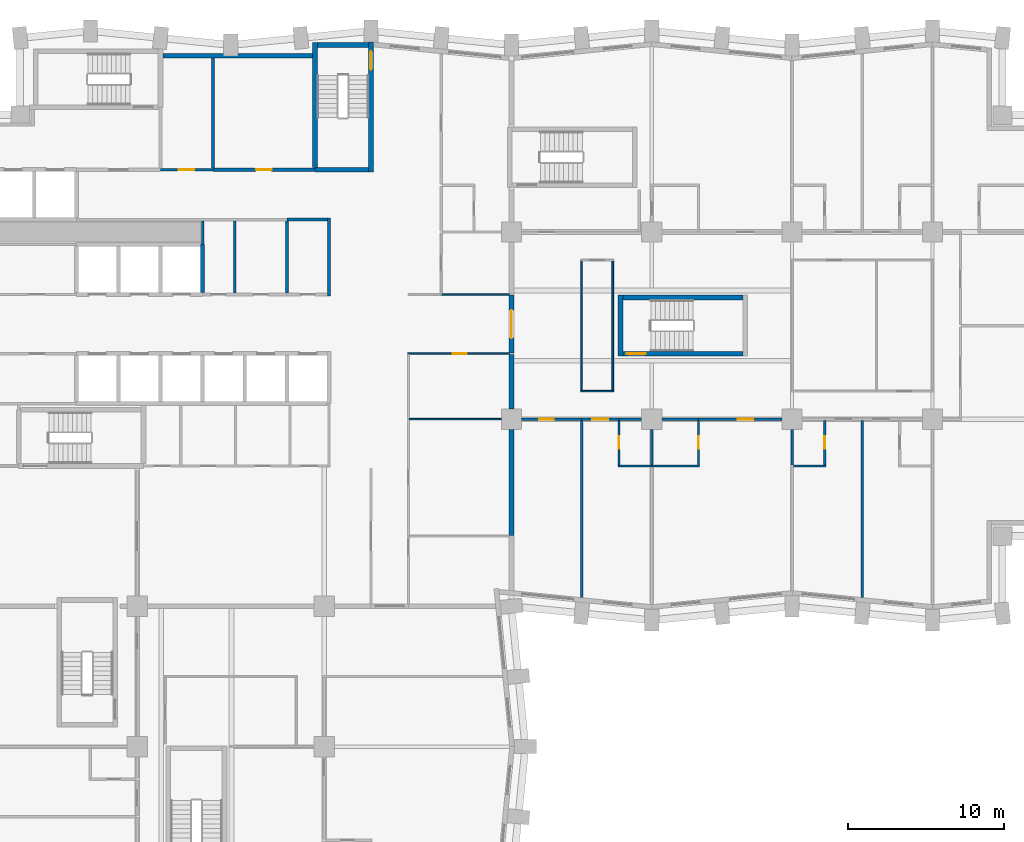
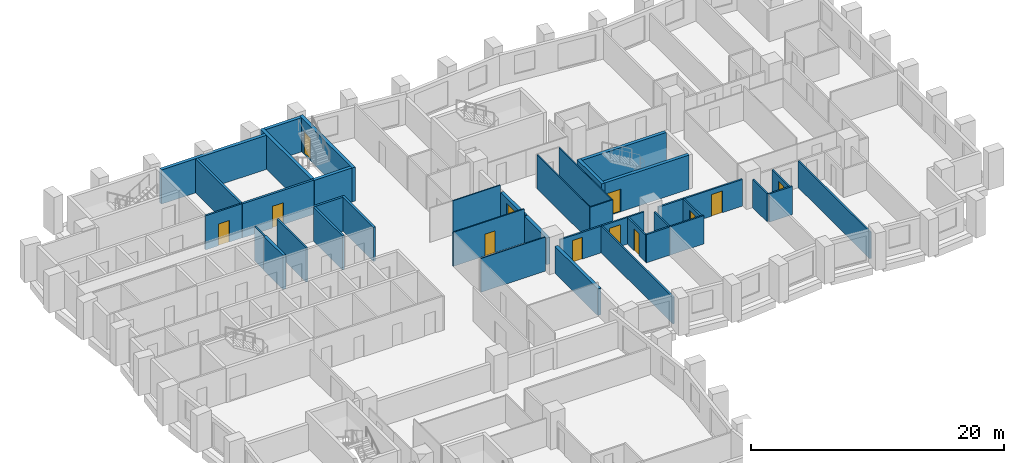
# One storey, part 7 of 13: 41 walls, 12 doors, 12 openings.
"""IFC4 building model written with IfcOpenShell, lengths in metres."""

from ifc_helpers import new_model, si_unit, direction, frame, frame_2d, origin, place, context, subcontext, project, spatial, rectangle, extrude, material, layer, layer_set, type_object, element, fill, save


model = new_model("IFC4")

# Units and contexts
model_context = context("Model", 3, precision=1e-05, world=origin(), true_north=direction((0.0, 1.0)))
body_context = subcontext(model_context, "Body", "Model", "MODEL_VIEW")
ifc_project = project(units=[si_unit("LENGTHUNIT", "METRE"), si_unit("AREAUNIT", "SQUARE_METRE"), si_unit("VOLUMEUNIT", "CUBIC_METRE"), si_unit("PLANEANGLEUNIT", "RADIAN"), si_unit("MASSUNIT", "GRAM", prefix="KILO")], contexts=[model_context])

# Site, building, storey
site_placement = place(None, origin())
site = spatial("IfcSite", under=ifc_project, at=site_placement, CompositionType="ELEMENT")
building_placement = place(site_placement, origin())
building = spatial("IfcBuilding", under=site, at=building_placement, Name="Brondeck Convention Tower", CompositionType="ELEMENT")
storey_placement = place(building_placement, frame((0.0, 0.0, 73.5)))
storey = spatial("IfcBuildingStorey", under=building, at=storey_placement, Name="L16", CompositionType="ELEMENT", Elevation=73.5)

# Walls
ifc_material_1 = material(Name="Concrete compartment wall C30/37", Category="concrete")
ifc_layer_1 = layer(ifc_material_1, 0.300048828125)
ifc_layer_set_1 = layer_set([ifc_layer_1], Name="Compartment wall 300")
wall_type_1 = type_object("IfcWallType", Name="Compartment wall 300", PredefinedType="PARTITIONING", material=ifc_layer_set_1)
wall_1_placement = place(storey_placement, frame((36.0, 38.344970703125, 0.0), z_axis=(0.0, 0.0, 1.0), x_axis=(0.0, -1.0, 0.0)))
element("IfcWall", 1, at=wall_1_placement, inside=storey, type_object=wall_type_1, Name="FLR-L16-W053", PredefinedType="PARTITIONING", context=body_context, shape_type="SweptSolid", body=[
    extrude(rectangle(XDim=6.794921875, YDim=0.300048828125, at=frame_2d((3.3974609375, 0.0))), origin(), (0.0, 0.0, 1.0), 2.580078125),
])
wall_2_placement = place(storey_placement, frame((36.0, 43.14990234375, 0.0), z_axis=(0.0, 0.0, 1.0), x_axis=(0.0, -1.0, 0.0)))
element("IfcWall", 2, at=wall_2_placement, inside=storey, type_object=wall_type_1, Name="FLR-L16-W078", PredefinedType="PARTITIONING", context=body_context, shape_type="SweptSolid", body=[
    extrude(rectangle(XDim=3.494873046875, YDim=0.300048828125, at=frame_2d((1.74755859375, 0.0))), origin(), (0.0, 0.0, 1.0), 2.580078125),
])

# Wall, opening, door
wall_3_placement = place(storey_placement, frame((36.0, 46.949951171875, 0.0), z_axis=(0.0, 0.0, 1.0), x_axis=(0.0, -1.0, 0.0)))
wall_3 = element("IfcWall", 3, at=wall_3_placement, inside=storey, type_object=wall_type_1, Name="FLR-L16-W082", PredefinedType="PARTITIONING", context=body_context, shape_type="SweptSolid", body=[
    extrude(rectangle(XDim=3.699951171875, YDim=0.300048828125, at=frame_2d((1.85009765625, 0.0))), origin(), (0.0, 0.0, 1.0), 2.580078125),
])
opening_1_placement = place(wall_3_placement, frame((0.949951171875, 0.0, 0.0)))
opening_1 = element("IfcOpeningElement", 4, at=opening_1_placement, cuts=wall_3, Name="Opening H4-041", PredefinedType="OPENING", context=body_context, shape_type="SweptSolid", body=[
    extrude(rectangle(XDim=1.800048828125, YDim=2.10009765625, at=frame_2d((0.89990234375, 1.050048828125))), frame((0.0, 0.159912109375, 0.0), z_axis=(0.0, -1.0, 0.0), x_axis=(1.0, 0.0, 0.0)), (0.0, 0.0, 1.0), 0.320068359375),
])
ifc_material_2 = material(Name="Steel fire door pair", Category="steel")
door_type_1 = type_object("IfcDoorType", Name="Fire door pair 1800", OperationType="DOUBLE_DOOR_SINGLE_SWING", PredefinedType="DOOR", material=ifc_material_2)
door_1_placement = place(opening_1_placement, origin())
door_1 = element("IfcDoor", 5, at=door_1_placement, inside=storey, type_object=door_type_1, Name="Door H4-041", OperationType="DOUBLE_DOOR_SINGLE_SWING", OverallHeight=2.10009765625, OverallWidth=1.800048828125, PredefinedType="DOOR", context=body_context, shape_type="SweptSolid", body=[
    extrude(rectangle(XDim=1.800048828125, YDim=2.10009765625, at=frame_2d((0.89990234375, 1.050048828125))), frame((0.0, 0.02490234375, 0.0), z_axis=(0.0, -1.0, 0.0), x_axis=(1.0, 0.0, 0.0)), (0.0, 0.0, 1.0), 0.050048828125),
])
fill(opening_1, door_1)

# Walls
ifc_material_3 = material(Name="Concrete C80/95", Category="concrete")
ifc_layer_2 = layer(ifc_material_3, 0.199951171875)
ifc_layer_set_2 = layer_set([ifc_layer_2], Name="Core beam-seat wall 200 Concrete C80/95")
wall_type_2 = type_object("IfcWallType", Name="Core beam-seat wall 200 Concrete C80/95", PredefinedType="SHEAR", material=ifc_layer_set_2)
wall_4_placement = place(storey_placement, frame((24.300048828125, 46.89990234375, 0.0), z_axis=(0.0, 0.0, 1.0), x_axis=(0.0, 1.0, 0.0)))
element("IfcWall", 6, at=wall_4_placement, inside=storey, type_object=wall_type_2, Name="L16 core wall", PredefinedType="SHEAR", context=body_context, shape_type="SweptSolid", body=[
    extrude(rectangle(XDim=5.0, YDim=0.199951171875, at=frame_2d((2.5, 0.0))), origin(), (0.0, 0.0, 1.0), 3.300048828125),
])
ifc_layer_3 = layer(ifc_material_3, 0.300048828125)
ifc_layer_set_3 = layer_set([ifc_layer_3], Name="Core outer wall 300 Concrete C80/95")
wall_type_3 = type_object("IfcWallType", Name="Core outer wall 300 Concrete C80/95", PredefinedType="SHEAR", material=ifc_layer_set_3)
wall_5_placement = place(storey_placement, frame((13.64990234375, 62.300048828125, 0.0), z_axis=(0.0, 0.0, 1.0), x_axis=(1.0, 0.0, 0.0)))
element("IfcWall", 7, at=wall_5_placement, inside=storey, type_object=wall_type_3, Name="L16 core wall", PredefinedType="SHEAR", context=body_context, shape_type="SweptSolid", body=[
    extrude(rectangle(XDim=9.60009765625, YDim=0.300048828125, at=frame_2d((4.800048828125, 0.0))), origin(), (0.0, 0.0, 1.0), 3.300048828125),
])

# Wall, opening, door
ifc_material_4 = material(Name="Fire-rated gypsum board partition")
ifc_layer_4 = layer(ifc_material_4, 0.14990234375)
ifc_layer_set_4 = layer_set([ifc_layer_4], Name="Core partition 150 EI 60")
wall_type_4 = type_object("IfcWallType", Name="Core partition 150 EI 60", PredefinedType="PARTITIONING", material=ifc_layer_set_4)
wall_6_placement = place(storey_placement, frame((13.5, 55.0, 0.0), z_axis=(0.0, 0.0, 1.0), x_axis=(1.0, 0.0, 0.0)))
wall_6 = element("IfcWall", 8, at=wall_6_placement, inside=storey, type_object=wall_type_4, Name="L16 core wall", PredefinedType="PARTITIONING", context=body_context, shape_type="SweptSolid", body=[
    extrude(rectangle(XDim=3.35009765625, YDim=0.14990234375, at=frame_2d((1.675048828125, 0.0))), origin(), (0.0, 0.0, 1.0), 3.300048828125),
])
opening_2_placement = place(wall_6_placement, frame((1.175048828125, 0.0, 0.0)))
opening_2 = element("IfcOpeningElement", 9, at=opening_2_placement, cuts=wall_6, Name="Opening C11-14", PredefinedType="OPENING", context=body_context, shape_type="SweptSolid", body=[
    extrude(rectangle(XDim=1.0, YDim=2.10009765625, at=frame_2d((0.5, 1.050048828125))), frame((0.0, 0.0849609375, 0.0), z_axis=(0.0, -1.0, 0.0), x_axis=(1.0, 0.0, 0.0)), (0.0, 0.0, 1.0), 0.169921875),
])
ifc_material_5 = material(Name="Steel fire door", Category="steel")
door_type_2 = type_object("IfcDoorType", Name="Room door 1000x2100 EI 60", OperationType="NOTDEFINED", PredefinedType="DOOR", material=ifc_material_5)
door_2_placement = place(opening_2_placement, origin())
door_2 = element("IfcDoor", 10, at=door_2_placement, inside=storey, type_object=door_type_2, Name="L16 Room door NE-1", OperationType="SINGLE_SWING_LEFT", OverallHeight=2.10009765625, OverallWidth=1.0, PredefinedType="DOOR", context=body_context, shape_type="SweptSolid", body=[
    extrude(rectangle(XDim=1.0, YDim=2.10009765625, at=frame_2d((0.5, 1.050048828125))), frame((0.0, 0.02490234375, 0.0), z_axis=(0.0, -1.0, 0.0), x_axis=(1.0, 0.0, 0.0)), (0.0, 0.0, 1.0), 0.050048828125),
])
fill(opening_2, door_2)

# Walls
wall_7_placement = place(storey_placement, frame((16.199951171875, 50.199951171875, 0.0), z_axis=(0.0, 0.0, 1.0), x_axis=(0.0, 1.0, 0.0)))
element("IfcWall", 11, at=wall_7_placement, inside=storey, type_object=wall_type_4, Name="L16 core wall", PredefinedType="PARTITIONING", context=body_context, shape_type="SweptSolid", body=[
    extrude(rectangle(XDim=1.525146484375, YDim=0.14990234375, at=frame_2d((0.7626953125, 0.0))), origin(), (0.0, 0.0, 1.0), 3.300048828125),
])
wall_8_placement = place(storey_placement, frame((18.25, 47.10009765625, 0.0), z_axis=(0.0, 0.0, 1.0), x_axis=(0.0, 1.0, 0.0)))
element("IfcWall", 12, at=wall_8_placement, inside=storey, type_object=wall_type_4, Name="L16 core wall", PredefinedType="PARTITIONING", context=body_context, shape_type="SweptSolid", body=[
    extrude(rectangle(XDim=4.625, YDim=0.14990234375, at=frame_2d((2.3125, 0.0))), origin(), (0.0, 0.0, 1.0), 3.300048828125),
])
ifc_material_6 = material(Name="Double gypsum board acoustic wall")
ifc_layer_5 = layer(ifc_material_6, 0.14990234375)
ifc_layer_set_5 = layer_set([ifc_layer_5], Name="Guest room party wall 150")
wall_type_5 = type_object("IfcWallType", Name="Guest room party wall 150", PredefinedType="PARTITIONING", material=ifc_layer_set_5)
wall_9_placement = place(storey_placement, frame((42.824951171875, 36.0, 0.0), z_axis=(0.0, 0.0, 1.0), x_axis=(1.0, 0.0, 0.0)))
element("IfcWall", 13, at=wall_9_placement, inside=storey, type_object=wall_type_5, Name="FLR-L16-W047", PredefinedType="PARTITIONING", context=body_context, shape_type="SweptSolid", body=[
    extrude(rectangle(XDim=2.175048828125, YDim=0.14990234375, at=frame_2d((1.08740234375, 0.0))), origin(), (0.0, 0.0, 1.0), 2.72998046875),
])
wall_10_placement = place(storey_placement, frame((45.0, 36.0, 0.0), z_axis=(0.0, 0.0, 1.0), x_axis=(1.0, 0.0, 0.0)))
element("IfcWall", 14, at=wall_10_placement, inside=storey, type_object=wall_type_5, Name="FLR-L16-W048", PredefinedType="PARTITIONING", context=body_context, shape_type="SweptSolid", body=[
    extrude(rectangle(XDim=3.074951171875, YDim=0.14990234375, at=frame_2d((1.53759765625, 0.0))), origin(), (0.0, 0.0, 1.0), 2.72998046875),
])
wall_11_placement = place(storey_placement, frame((54.074951171875, 36.0, 0.0), z_axis=(0.0, 0.0, 1.0), x_axis=(1.0, 0.0, 0.0)))
element("IfcWall", 15, at=wall_11_placement, inside=storey, type_object=wall_type_5, Name="FLR-L16-W049", PredefinedType="PARTITIONING", context=body_context, shape_type="SweptSolid", body=[
    extrude(rectangle(XDim=2.10009765625, YDim=0.14990234375, at=frame_2d((1.050048828125, 0.0))), origin(), (0.0, 0.0, 1.0), 2.72998046875),
])

# Wall, opening, door
wall_12_placement = place(storey_placement, frame((48.0, 36.074951171875, 0.0), z_axis=(0.0, 0.0, 1.0), x_axis=(0.0, 1.0, 0.0)))
wall_12 = element("IfcWall", 16, at=wall_12_placement, inside=storey, type_object=wall_type_5, Name="FLR-L16-W051", PredefinedType="PARTITIONING", context=body_context, shape_type="SweptSolid", body=[
    extrude(rectangle(XDim=2.85009765625, YDim=0.14990234375, at=frame_2d((1.425048828125, 0.0))), origin(), (0.0, 0.0, 1.0), 2.580078125),
])
opening_3_placement = place(wall_12_placement, frame((1.02490234375, 0.0, 0.0)))
opening_3 = element("IfcOpeningElement", 17, at=opening_3_placement, cuts=wall_12, Name="Opening H4-012", PredefinedType="OPENING", context=body_context, shape_type="SweptSolid", body=[
    extrude(rectangle(XDim=0.800048828125, YDim=2.10009765625, at=frame_2d((0.39990234375, 1.050048828125))), frame((0.0, 0.0849609375, 0.0), z_axis=(0.0, -1.0, 0.0), x_axis=(1.0, 0.0, 0.0)), (0.0, 0.0, 1.0), 0.169921875),
])
ifc_material_7 = material(Name="Solid timber door leaf", Category="wood")
door_type_3 = type_object("IfcDoorType", Name="En-suite door 800", OperationType="NOTDEFINED", PredefinedType="DOOR", material=ifc_material_7)
door_3_placement = place(opening_3_placement, origin())
door_3 = element("IfcDoor", 18, at=door_3_placement, inside=storey, type_object=door_type_3, Name="Door H4-012", OperationType="SINGLE_SWING_RIGHT", OverallHeight=2.10009765625, OverallWidth=0.800048828125, PredefinedType="DOOR", context=body_context, shape_type="SweptSolid", body=[
    extrude(rectangle(XDim=0.800048828125, YDim=2.10009765625, at=frame_2d((0.39990234375, 1.050048828125))), frame((0.0, 0.02490234375, 0.0), z_axis=(0.0, -1.0, 0.0), x_axis=(1.0, 0.0, 0.0)), (0.0, 0.0, 1.0), 0.050048828125),
])
fill(opening_3, door_3)

wall_13_placement = place(storey_placement, frame((56.10009765625, 36.074951171875, 0.0), z_axis=(0.0, 0.0, 1.0), x_axis=(0.0, 1.0, 0.0)))
wall_13 = element("IfcWall", 19, at=wall_13_placement, inside=storey, type_object=wall_type_5, Name="FLR-L16-W052", PredefinedType="PARTITIONING", context=body_context, shape_type="SweptSolid", body=[
    extrude(rectangle(XDim=2.85009765625, YDim=0.14990234375, at=frame_2d((1.425048828125, 0.0))), origin(), (0.0, 0.0, 1.0), 2.580078125),
])
opening_4_placement = place(wall_13_placement, frame((1.02490234375, 0.0, 0.0)))
opening_4 = element("IfcOpeningElement", 20, at=opening_4_placement, cuts=wall_13, Name="Opening H4-014", PredefinedType="OPENING", context=body_context, shape_type="SweptSolid", body=[
    extrude(rectangle(XDim=0.800048828125, YDim=2.10009765625, at=frame_2d((0.39990234375, 1.050048828125))), frame((0.0, 0.0849609375, 0.0), z_axis=(0.0, -1.0, 0.0), x_axis=(1.0, 0.0, 0.0)), (0.0, 0.0, 1.0), 0.169921875),
])
door_4_placement = place(opening_4_placement, origin())
door_4 = element("IfcDoor", 21, at=door_4_placement, inside=storey, type_object=door_type_3, Name="Door H4-014", OperationType="SINGLE_SWING_LEFT", OverallHeight=2.10009765625, OverallWidth=0.800048828125, PredefinedType="DOOR", context=body_context, shape_type="SweptSolid", body=[
    extrude(rectangle(XDim=0.800048828125, YDim=2.10009765625, at=frame_2d((0.39990234375, 1.050048828125))), frame((0.0, 0.02490234375, 0.0), z_axis=(0.0, -1.0, 0.0), x_axis=(1.0, 0.0, 0.0)), (0.0, 0.0, 1.0), 0.050048828125),
])
fill(opening_4, door_4)

# Walls
for number, where, z_axis, x_axis, name in (
    (22, (45.0, 38.344970703125, 0.0), (0.0, 0.0, 1.0), (0.0, -1.0, 0.0), "FLR-L16-W054"),
    (23, (54.0, 38.344970703125, 0.0), (0.0, 0.0, 1.0), (0.0, -1.0, 0.0), "FLR-L16-W055"),
):
    element("IfcWall", number, at=place(storey_placement, frame(where, z_axis=z_axis, x_axis=x_axis)), inside=storey, type_object=wall_type_5, Name=name, PredefinedType="PARTITIONING", context=body_context, shape_type="SweptSolid", body=[
        extrude(rectangle(XDim=2.27001953125, YDim=0.14990234375, at=frame_2d((1.135009765625, 0.0))), origin(), (0.0, 0.0, 1.0), 2.72998046875),
    ])
wall_14_placement = place(storey_placement, frame((40.5, 38.925048828125, 0.0), z_axis=(0.0, 0.0, 1.0), x_axis=(0.0, -1.0, 0.0)))
element("IfcWall", 24, at=wall_14_placement, inside=storey, type_object=wall_type_5, Name="FLR-L16-W057", PredefinedType="PARTITIONING", context=body_context, shape_type="SweptSolid", body=[
    extrude(rectangle(XDim=11.35009765625, YDim=0.14990234375, at=frame_2d((5.675048828125, 0.0))), origin(), (0.0, 0.0, 1.0), 2.580078125),
])

# Wall, opening, door
wall_15_placement = place(storey_placement, frame((42.89990234375, 38.925048828125, 0.0), z_axis=(0.0, 0.0, 1.0), x_axis=(0.0, -1.0, 0.0)))
wall_15 = element("IfcWall", 25, at=wall_15_placement, inside=storey, type_object=wall_type_5, Name="FLR-L16-W058", PredefinedType="PARTITIONING", context=body_context, shape_type="SweptSolid", body=[
    extrude(rectangle(XDim=2.85009765625, YDim=0.14990234375, at=frame_2d((1.425048828125, 0.0))), origin(), (0.0, 0.0, 1.0), 2.580078125),
])
opening_5_placement = place(wall_15_placement, frame((1.02490234375, 0.0, 0.0)))
opening_5 = element("IfcOpeningElement", 26, at=opening_5_placement, cuts=wall_15, Name="Opening H4-010", PredefinedType="OPENING", context=body_context, shape_type="SweptSolid", body=[
    extrude(rectangle(XDim=0.800048828125, YDim=2.10009765625, at=frame_2d((0.39990234375, 1.050048828125))), frame((0.0, 0.0849609375, 0.0), z_axis=(0.0, -1.0, 0.0), x_axis=(1.0, 0.0, 0.0)), (0.0, 0.0, 1.0), 0.169921875),
])
door_5_placement = place(opening_5_placement, origin())
door_5 = element("IfcDoor", 27, at=door_5_placement, inside=storey, type_object=door_type_3, Name="Door H4-010", OperationType="SINGLE_SWING_LEFT", OverallHeight=2.10009765625, OverallWidth=0.800048828125, PredefinedType="DOOR", context=body_context, shape_type="SweptSolid", body=[
    extrude(rectangle(XDim=0.800048828125, YDim=2.10009765625, at=frame_2d((0.39990234375, 1.050048828125))), frame((0.0, 0.02490234375, 0.0), z_axis=(0.0, -1.0, 0.0), x_axis=(1.0, 0.0, 0.0)), (0.0, 0.0, 1.0), 0.050048828125),
])
fill(opening_5, door_5)

# Wall
wall_16_placement = place(storey_placement, frame((58.5, 38.925048828125, 0.0), z_axis=(0.0, 0.0, 1.0), x_axis=(0.0, -1.0, 0.0)))
element("IfcWall", 28, at=wall_16_placement, inside=storey, type_object=wall_type_5, Name="FLR-L16-W059", PredefinedType="PARTITIONING", context=body_context, shape_type="SweptSolid", body=[
    extrude(rectangle(XDim=11.35009765625, YDim=0.14990234375, at=frame_2d((5.675048828125, 0.0))), origin(), (0.0, 0.0, 1.0), 2.580078125),
])

# Wall, opening, door
wall_17_placement = place(storey_placement, frame((40.5, 39.0, 0.0), z_axis=(0.0, 0.0, 1.0), x_axis=(-1.0, 0.0, 0.0)))
wall_17 = element("IfcWall", 29, at=wall_17_placement, inside=storey, type_object=wall_type_5, Name="FLR-L16-W063", PredefinedType="PARTITIONING", context=body_context, shape_type="SweptSolid", body=[
    extrude(rectangle(XDim=3.844970703125, YDim=0.14990234375, at=frame_2d((1.92236328125, 0.0))), origin(), (0.0, 0.0, 1.0), 2.580078125),
])
opening_6_placement = place(wall_17_placement, frame((1.800048828125, 0.0, 0.0)))
opening_6 = element("IfcOpeningElement", 30, at=opening_6_placement, cuts=wall_17, Name="Opening H4-008", PredefinedType="OPENING", context=body_context, shape_type="SweptSolid", body=[
    extrude(rectangle(XDim=0.89990234375, YDim=2.10009765625, at=frame_2d((0.449951171875, 1.050048828125))), frame((0.0, 0.0849609375, 0.0), z_axis=(0.0, -1.0, 0.0), x_axis=(1.0, 0.0, 0.0)), (0.0, 0.0, 1.0), 0.169921875),
])
door_type_4 = type_object("IfcDoorType", Name="Single door 900", OperationType="NOTDEFINED", PredefinedType="DOOR", material=ifc_material_7)
door_6_placement = place(opening_6_placement, origin())
door_6 = element("IfcDoor", 31, at=door_6_placement, inside=storey, type_object=door_type_4, Name="Door H4-008", OperationType="SINGLE_SWING_LEFT", OverallHeight=2.10009765625, OverallWidth=0.89990234375, PredefinedType="DOOR", context=body_context, shape_type="SweptSolid", body=[
    extrude(rectangle(XDim=0.89990234375, YDim=2.10009765625, at=frame_2d((0.449951171875, 1.050048828125))), frame((0.0, 0.02490234375, 0.0), z_axis=(0.0, -1.0, 0.0), x_axis=(1.0, 0.0, 0.0)), (0.0, 0.0, 1.0), 0.050048828125),
])
fill(opening_6, door_6)

wall_18_placement = place(storey_placement, frame((42.89990234375, 39.0, 0.0), z_axis=(0.0, 0.0, 1.0), x_axis=(-1.0, 0.0, 0.0)))
wall_18 = element("IfcWall", 32, at=wall_18_placement, inside=storey, type_object=wall_type_5, Name="FLR-L16-W064", PredefinedType="PARTITIONING", context=body_context, shape_type="SweptSolid", body=[
    extrude(rectangle(XDim=2.39990234375, YDim=0.14990234375, at=frame_2d((1.199951171875, 0.0))), origin(), (0.0, 0.0, 1.0), 2.580078125),
])
opening_7_placement = place(wall_18_placement, frame((0.699951171875, 0.0, 0.0)))
opening_7 = element("IfcOpeningElement", 33, at=opening_7_placement, cuts=wall_18, Name="Opening H4-009", PredefinedType="OPENING", context=body_context, shape_type="SweptSolid", body=[
    extrude(rectangle(XDim=1.0, YDim=2.10009765625, at=frame_2d((0.5, 1.050048828125))), frame((0.0, 0.0849609375, 0.0), z_axis=(0.0, -1.0, 0.0), x_axis=(1.0, 0.0, 0.0)), (0.0, 0.0, 1.0), 0.169921875),
])
ifc_material_8 = material(Name="Solid timber fire door leaf", Category="wood")
door_type_5 = type_object("IfcDoorType", Name="Guest room door 1000", OperationType="NOTDEFINED", PredefinedType="DOOR", material=ifc_material_8)
door_7_placement = place(opening_7_placement, origin())
door_7 = element("IfcDoor", 34, at=door_7_placement, inside=storey, type_object=door_type_5, Name="Door H4-009", OperationType="SINGLE_SWING_LEFT", OverallHeight=2.10009765625, OverallWidth=1.0, PredefinedType="DOOR", context=body_context, shape_type="SweptSolid", body=[
    extrude(rectangle(XDim=1.0, YDim=2.10009765625, at=frame_2d((0.5, 1.050048828125))), frame((0.0, 0.02490234375, 0.0), z_axis=(0.0, -1.0, 0.0), x_axis=(1.0, 0.0, 0.0)), (0.0, 0.0, 1.0), 0.050048828125),
])
fill(opening_7, door_7)

# Walls
wall_19_placement = place(storey_placement, frame((44.344970703125, 39.0, 0.0), z_axis=(0.0, 0.0, 1.0), x_axis=(-1.0, 0.0, 0.0)))
element("IfcWall", 35, at=wall_19_placement, inside=storey, type_object=wall_type_5, Name="FLR-L16-W065", PredefinedType="PARTITIONING", context=body_context, shape_type="SweptSolid", body=[
    extrude(rectangle(XDim=1.445068359375, YDim=0.14990234375, at=frame_2d((0.72265625, 0.0))), origin(), (0.0, 0.0, 1.0), 2.580078125),
])
wall_20_placement = place(storey_placement, frame((48.0, 39.0, 0.0), z_axis=(0.0, 0.0, 1.0), x_axis=(-1.0, 0.0, 0.0)))
element("IfcWall", 36, at=wall_20_placement, inside=storey, type_object=wall_type_5, Name="FLR-L16-W066", PredefinedType="PARTITIONING", context=body_context, shape_type="SweptSolid", body=[
    extrude(rectangle(XDim=2.344970703125, YDim=0.14990234375, at=frame_2d((1.17236328125, 0.0))), origin(), (0.0, 0.0, 1.0), 2.580078125),
])

# Wall, opening, door
wall_21_placement = place(storey_placement, frame((53.344970703125, 39.0, 0.0), z_axis=(0.0, 0.0, 1.0), x_axis=(-1.0, 0.0, 0.0)))
wall_21 = element("IfcWall", 37, at=wall_21_placement, inside=storey, type_object=wall_type_5, Name="FLR-L16-W067", PredefinedType="PARTITIONING", context=body_context, shape_type="SweptSolid", body=[
    extrude(rectangle(XDim=5.344970703125, YDim=0.14990234375, at=frame_2d((2.67236328125, 0.0))), origin(), (0.0, 0.0, 1.0), 2.580078125),
])
opening_8_placement = place(wall_21_placement, frame((1.844970703125, 0.0, 0.0)))
opening_8 = element("IfcOpeningElement", 38, at=opening_8_placement, cuts=wall_21, Name="Opening H4-011", PredefinedType="OPENING", context=body_context, shape_type="SweptSolid", body=[
    extrude(rectangle(XDim=1.0, YDim=2.10009765625, at=frame_2d((0.5, 1.050048828125))), frame((0.0, 0.0849609375, 0.0), z_axis=(0.0, -1.0, 0.0), x_axis=(1.0, 0.0, 0.0)), (0.0, 0.0, 1.0), 0.169921875),
])
door_8_placement = place(opening_8_placement, origin())
door_8 = element("IfcDoor", 39, at=door_8_placement, inside=storey, type_object=door_type_5, Name="Door H4-011", OperationType="SINGLE_SWING_RIGHT", OverallHeight=2.10009765625, OverallWidth=1.0, PredefinedType="DOOR", context=body_context, shape_type="SweptSolid", body=[
    extrude(rectangle(XDim=1.0, YDim=2.10009765625, at=frame_2d((0.5, 1.050048828125))), frame((0.0, 0.02490234375, 0.0), z_axis=(0.0, -1.0, 0.0), x_axis=(1.0, 0.0, 0.0)), (0.0, 0.0, 1.0), 0.050048828125),
])
fill(opening_8, door_8)

# Walls
ifc_layer_6 = layer(ifc_material_3, 0.25)
ifc_layer_set_6 = layer_set([ifc_layer_6], Name="Lift shaft wall 250 Concrete C80/95")
wall_type_6 = type_object("IfcWallType", Name="Lift shaft wall 250 Concrete C80/95", PredefinedType="SHEAR", material=ifc_layer_set_6)
wall_22_placement = place(storey_placement, frame((16.199951171875, 47.125, 0.0), z_axis=(0.0, 0.0, 1.0), x_axis=(0.0, 1.0, 0.0)))
element("IfcWall", 40, at=wall_22_placement, inside=storey, type_object=wall_type_6, Name="L16 core wall", PredefinedType="SHEAR", context=body_context, shape_type="SweptSolid", body=[
    extrude(rectangle(XDim=3.074951171875, YDim=0.25, at=frame_2d((1.53759765625, 0.0))), origin(), (0.0, 0.0, 1.0), 3.300048828125),
])
ifc_layer_7 = layer(ifc_material_4, 0.199951171875)
ifc_layer_set_7 = layer_set([ifc_layer_7], Name="Riser wall 200 EI 120")
wall_type_7 = type_object("IfcWallType", Name="Riser wall 200 EI 120", PredefinedType="PARTITIONING", material=ifc_layer_set_7)
wall_23_placement = place(storey_placement, frame((21.60009765625, 51.800048828125, 0.0), z_axis=(0.0, 0.0, 1.0), x_axis=(1.0, 0.0, 0.0)))
element("IfcWall", 41, at=wall_23_placement, inside=storey, type_object=wall_type_7, Name="L16 core wall", PredefinedType="PARTITIONING", context=body_context, shape_type="SweptSolid", body=[
    extrude(rectangle(XDim=2.599853515625, YDim=0.199951171875, at=frame_2d((1.2998046875, 0.0))), origin(), (0.0, 0.0, 1.0), 3.300048828125),
])

# Wall, opening, door
wall_24_placement = place(storey_placement, frame((16.85009765625, 55.0, 0.0), z_axis=(0.0, 0.0, 1.0), x_axis=(1.0, 0.0, 0.0)))
wall_24 = element("IfcWall", 42, at=wall_24_placement, inside=storey, type_object=wall_type_7, Name="L16 core wall", PredefinedType="PARTITIONING", context=body_context, shape_type="SweptSolid", body=[
    extrude(rectangle(XDim=6.5498046875, YDim=0.199951171875, at=frame_2d((3.27490234375, 0.0))), origin(), (0.0, 0.0, 1.0), 3.300048828125),
])
opening_9_placement = place(wall_24_placement, frame((2.77490234375, 0.0, 0.0)))
opening_9 = element("IfcOpeningElement", 43, at=opening_9_placement, cuts=wall_24, Name="Opening C11-15", PredefinedType="OPENING", context=body_context, shape_type="SweptSolid", body=[
    extrude(rectangle(XDim=1.0, YDim=2.10009765625, at=frame_2d((0.5, 1.050048828125))), frame((0.0, 0.10986328125, 0.0), z_axis=(0.0, -1.0, 0.0), x_axis=(1.0, 0.0, 0.0)), (0.0, 0.0, 1.0), 0.219970703125),
])
door_type_6 = type_object("IfcDoorType", Name="Riser door 1000x2100 EI 120", OperationType="NOTDEFINED", PredefinedType="DOOR", material=ifc_material_5)
door_9_placement = place(opening_9_placement, origin())
door_9 = element("IfcDoor", 44, at=door_9_placement, inside=storey, type_object=door_type_6, Name="L16 Riser door NE-2", OperationType="SINGLE_SWING_RIGHT", OverallHeight=2.10009765625, OverallWidth=1.0, PredefinedType="DOOR", context=body_context, shape_type="SweptSolid", body=[
    extrude(rectangle(XDim=1.0, YDim=2.10009765625, at=frame_2d((0.5, 1.050048828125))), frame((0.0, 0.02490234375, 0.0), z_axis=(0.0, -1.0, 0.0), x_axis=(1.0, 0.0, 0.0)), (0.0, 0.0, 1.0), 0.050048828125),
])
fill(opening_9, door_9)

# Walls
wall_25_placement = place(storey_placement, frame((16.85009765625, 55.10009765625, 0.0), z_axis=(0.0, 0.0, 1.0), x_axis=(0.0, 1.0, 0.0)))
element("IfcWall", 45, at=wall_25_placement, inside=storey, type_object=wall_type_7, Name="L16 core wall", PredefinedType="PARTITIONING", context=body_context, shape_type="SweptSolid", body=[
    extrude(rectangle(XDim=7.0498046875, YDim=0.199951171875, at=frame_2d((3.52490234375, 0.0))), origin(), (0.0, 0.0, 1.0), 3.300048828125),
])
wall_26_placement = place(storey_placement, frame((21.60009765625, 47.10009765625, 0.0), z_axis=(0.0, 0.0, 1.0), x_axis=(0.0, 1.0, 0.0)))
element("IfcWall", 46, at=wall_26_placement, inside=storey, type_object=wall_type_7, Name="L16 core wall", PredefinedType="PARTITIONING", context=body_context, shape_type="SweptSolid", body=[
    extrude(rectangle(XDim=4.599853515625, YDim=0.199951171875, at=frame_2d((2.2998046875, 0.0))), origin(), (0.0, 0.0, 1.0), 3.300048828125),
])
ifc_material_9 = material(Name="Gypsum board partition on steel studs", Category="steel")
ifc_layer_8 = layer(ifc_material_9, 0.10009765625)
ifc_layer_set_8 = layer_set([ifc_layer_8], Name="Room partition 100")
wall_type_8 = type_object("IfcWallType", Name="Room partition 100", PredefinedType="PARTITIONING", material=ifc_layer_set_8)
wall_27_placement = place(storey_placement, frame((35.344970703125, 39.0, 0.0), z_axis=(0.0, 0.0, 1.0), x_axis=(-1.0, 0.0, 0.0)))
element("IfcWall", 47, at=wall_27_placement, inside=storey, type_object=wall_type_8, Name="FLR-L16-W062", PredefinedType="PARTITIONING", context=body_context, shape_type="SweptSolid", body=[
    extrude(rectangle(XDim=5.89501953125, YDim=0.10009765625, at=frame_2d((2.947509765625, 0.0))), origin(), (0.0, 0.0, 1.0), 3.280029296875),
])
wall_28_placement = place(storey_placement, frame((40.449951171875, 40.800048828125, 0.0), z_axis=(0.0, 0.0, 1.0), x_axis=(1.0, 0.0, 0.0)))
element("IfcWall", 48, at=wall_28_placement, inside=storey, type_object=wall_type_8, Name="FLR-L16-W073", PredefinedType="PARTITIONING", context=body_context, shape_type="SweptSolid", body=[
    extrude(rectangle(XDim=2.10009765625, YDim=0.10009765625, at=frame_2d((1.050048828125, 0.0))), origin(), (0.0, 0.0, 1.0), 3.280029296875),
])

# Wall, opening, door
wall_29_placement = place(storey_placement, frame((35.85009765625, 43.199951171875, 0.0), z_axis=(0.0, 0.0, 1.0), x_axis=(-1.0, 0.0, 0.0)))
wall_29 = element("IfcWall", 49, at=wall_29_placement, inside=storey, type_object=wall_type_8, Name="FLR-L16-W079", PredefinedType="PARTITIONING", context=body_context, shape_type="SweptSolid", body=[
    extrude(rectangle(XDim=6.5, YDim=0.10009765625, at=frame_2d((3.25, 0.0))), origin(), (0.0, 0.0, 1.0), 3.280029296875),
])
opening_10_placement = place(wall_29_placement, frame((2.699951171875, 0.0, 0.0)))
opening_10 = element("IfcOpeningElement", 50, at=opening_10_placement, cuts=wall_29, Name="Opening H4-036", PredefinedType="OPENING", context=body_context, shape_type="SweptSolid", body=[
    extrude(rectangle(XDim=0.89990234375, YDim=2.10009765625, at=frame_2d((0.449951171875, 1.050048828125))), frame((0.0, 0.06005859375, 0.0), z_axis=(0.0, -1.0, 0.0), x_axis=(1.0, 0.0, 0.0)), (0.0, 0.0, 1.0), 0.1201171875),
])
door_10_placement = place(opening_10_placement, origin())
door_10 = element("IfcDoor", 51, at=door_10_placement, inside=storey, type_object=door_type_4, Name="Door H4-036", OperationType="SINGLE_SWING_LEFT", OverallHeight=2.10009765625, OverallWidth=0.89990234375, PredefinedType="DOOR", context=body_context, shape_type="SweptSolid", body=[
    extrude(rectangle(XDim=0.89990234375, YDim=2.10009765625, at=frame_2d((0.449951171875, 1.050048828125))), frame((0.0, 0.02490234375, 0.0), z_axis=(0.0, -1.0, 0.0), x_axis=(1.0, 0.0, 0.0)), (0.0, 0.0, 1.0), 0.050048828125),
])
fill(opening_10, door_10)

# Walls
wall_30_placement = place(storey_placement, frame((31.5, 47.0, 0.0), z_axis=(0.0, 0.0, 1.0), x_axis=(1.0, 0.0, 0.0)))
element("IfcWall", 52, at=wall_30_placement, inside=storey, type_object=wall_type_8, Name="FLR-L16-W084", PredefinedType="PARTITIONING", context=body_context, shape_type="SweptSolid", body=[
    extrude(rectangle(XDim=4.35009765625, YDim=0.10009765625, at=frame_2d((2.175048828125, 0.0))), origin(), (0.0, 0.0, 1.0), 3.280029296875),
])
for number, where, z_axis, x_axis, name in (
    (53, (40.5, 49.14990234375, 0.0), (0.0, 0.0, 1.0), (0.0, -1.0, 0.0), "FLR-L16-W085"),
    (54, (42.5, 49.14990234375, 0.0), (0.0, 0.0, 1.0), (0.0, -1.0, 0.0), "FLR-L16-W086"),
):
    element("IfcWall", number, at=place(storey_placement, frame(where, z_axis=z_axis, x_axis=x_axis)), inside=storey, type_object=wall_type_8, Name=name, PredefinedType="PARTITIONING", context=body_context, shape_type="SweptSolid", body=[
        extrude(rectangle(XDim=8.2998046875, YDim=0.10009765625, at=frame_2d((4.14990234375, 0.0))), origin(), (0.0, 0.0, 1.0), 3.280029296875),
    ])

# Wall, opening, door
ifc_layer_9 = layer(ifc_material_3, 0.300048828125)
ifc_layer_set_9 = layer_set([ifc_layer_9], Name="Stair enclosure wall 300 Concrete C80/95")
wall_type_9 = type_object("IfcWallType", Name="Stair enclosure wall 300 Concrete C80/95", PredefinedType="SHEAR", material=ifc_layer_set_9)
wall_31_placement = place(storey_placement, frame((43.14990234375, 43.199951171875, 0.0), z_axis=(0.0, 0.0, 1.0), x_axis=(1.0, 0.0, 0.0)))
wall_31 = element("IfcWall", 55, at=wall_31_placement, inside=storey, type_object=wall_type_9, Name="L16 core wall", PredefinedType="SHEAR", context=body_context, shape_type="SweptSolid", body=[
    extrude(rectangle(XDim=7.7001953125, YDim=0.300048828125, at=frame_2d((3.85009765625, 0.0))), origin(), (0.0, 0.0, 1.0), 3.300048828125),
])
opening_11_placement = place(wall_31_placement, frame((0.25, 0.0, 0.0)))
opening_11 = element("IfcOpeningElement", 56, at=opening_11_placement, cuts=wall_31, Name="Opening C11-20", PredefinedType="OPENING", context=body_context, shape_type="SweptSolid", body=[
    extrude(rectangle(XDim=1.199951171875, YDim=2.199951171875, at=frame_2d((0.60009765625, 1.10009765625))), frame((0.0, 0.159912109375, 0.0), z_axis=(0.0, -1.0, 0.0), x_axis=(1.0, 0.0, 0.0)), (0.0, 0.0, 1.0), 0.320068359375),
])
door_type_7 = type_object("IfcDoorType", Name="Stair door 1200x2200 EI 90", OperationType="NOTDEFINED", PredefinedType="DOOR", material=ifc_material_5)
door_11_placement = place(opening_11_placement, origin())
door_11 = element("IfcDoor", 57, at=door_11_placement, inside=storey, type_object=door_type_7, Name="L16 Stair door ST-AF", OperationType="SINGLE_SWING_RIGHT", OverallHeight=2.199951171875, OverallWidth=1.199951171875, PredefinedType="DOOR", context=body_context, shape_type="SweptSolid", body=[
    extrude(rectangle(XDim=1.199951171875, YDim=2.199951171875, at=frame_2d((0.60009765625, 1.10009765625))), frame((0.0, 0.02490234375, 0.0), z_axis=(0.0, -1.0, 0.0), x_axis=(1.0, 0.0, 0.0)), (0.0, 0.0, 1.0), 0.050048828125),
])
fill(opening_11, door_11)

# Walls
wall_32_placement = place(storey_placement, frame((43.14990234375, 46.800048828125, 0.0), z_axis=(0.0, 0.0, 1.0), x_axis=(1.0, 0.0, 0.0)))
element("IfcWall", 58, at=wall_32_placement, inside=storey, type_object=wall_type_9, Name="L16 core wall", PredefinedType="SHEAR", context=body_context, shape_type="SweptSolid", body=[
    extrude(rectangle(XDim=7.7001953125, YDim=0.300048828125, at=frame_2d((3.85009765625, 0.0))), origin(), (0.0, 0.0, 1.0), 3.300048828125),
])
wall_33_placement = place(storey_placement, frame((23.39990234375, 55.0, 0.0), z_axis=(0.0, 0.0, 1.0), x_axis=(1.0, 0.0, 0.0)))
element("IfcWall", 59, at=wall_33_placement, inside=storey, type_object=wall_type_9, Name="L16 core wall", PredefinedType="SHEAR", context=body_context, shape_type="SweptSolid", body=[
    extrude(rectangle(XDim=3.4501953125, YDim=0.300048828125, at=frame_2d((1.72509765625, 0.0))), origin(), (0.0, 0.0, 1.0), 3.300048828125),
])
wall_34_placement = place(storey_placement, frame((23.550048828125, 63.0, 0.0), z_axis=(0.0, 0.0, 1.0), x_axis=(1.0, 0.0, 0.0)))
element("IfcWall", 60, at=wall_34_placement, inside=storey, type_object=wall_type_9, Name="L16 core wall", PredefinedType="SHEAR", context=body_context, shape_type="SweptSolid", body=[
    extrude(rectangle(XDim=3.300048828125, YDim=0.300048828125, at=frame_2d((1.64990234375, 0.0))), origin(), (0.0, 0.0, 1.0), 3.300048828125),
])
wall_35_placement = place(storey_placement, frame((23.39990234375, 55.14990234375, 0.0), z_axis=(0.0, 0.0, 1.0), x_axis=(0.0, 1.0, 0.0)))
element("IfcWall", 61, at=wall_35_placement, inside=storey, type_object=wall_type_9, Name="L16 core wall", PredefinedType="SHEAR", context=body_context, shape_type="SweptSolid", body=[
    extrude(rectangle(XDim=8.0, YDim=0.300048828125, at=frame_2d((4.0, 0.0))), origin(), (0.0, 0.0, 1.0), 3.300048828125),
])

# Wall, opening, door
wall_36_placement = place(storey_placement, frame((27.0, 54.85009765625, 0.0), z_axis=(0.0, 0.0, 1.0), x_axis=(0.0, 1.0, 0.0)))
wall_36 = element("IfcWall", 62, at=wall_36_placement, inside=storey, type_object=wall_type_9, Name="L16 core wall", PredefinedType="SHEAR", context=body_context, shape_type="SweptSolid", body=[
    extrude(rectangle(XDim=8.349853515625, YDim=0.300048828125, at=frame_2d((4.1748046875, 0.0))), origin(), (0.0, 0.0, 1.0), 3.300048828125),
])
opening_12_placement = place(wall_36_placement, frame((6.550048828125, 0.0, 0.0)))
opening_12 = element("IfcOpeningElement", 63, at=opening_12_placement, cuts=wall_36, Name="Opening C11-17", PredefinedType="OPENING", context=body_context, shape_type="SweptSolid", body=[
    extrude(rectangle(XDim=1.199951171875, YDim=2.199951171875, at=frame_2d((0.60009765625, 1.10009765625))), frame((0.0, 0.159912109375, 0.0), z_axis=(0.0, -1.0, 0.0), x_axis=(1.0, 0.0, 0.0)), (0.0, 0.0, 1.0), 0.320068359375),
])
door_12_placement = place(opening_12_placement, origin())
door_12 = element("IfcDoor", 64, at=door_12_placement, inside=storey, type_object=door_type_7, Name="L16 Stair door ST-2", OperationType="SINGLE_SWING_LEFT", OverallHeight=2.199951171875, OverallWidth=1.199951171875, PredefinedType="DOOR", context=body_context, shape_type="SweptSolid", body=[
    extrude(rectangle(XDim=1.199951171875, YDim=2.199951171875, at=frame_2d((0.60009765625, 1.10009765625))), frame((0.0, 0.02490234375, 0.0), z_axis=(0.0, -1.0, 0.0), x_axis=(1.0, 0.0, 0.0)), (0.0, 0.0, 1.0), 0.050048828125),
])
fill(opening_12, door_12)

# Wall
wall_37_placement = place(storey_placement, frame((43.0, 43.050048828125, 0.0), z_axis=(0.0, 0.0, 1.0), x_axis=(0.0, 1.0, 0.0)))
element("IfcWall", 65, at=wall_37_placement, inside=storey, type_object=wall_type_9, Name="L16 core wall", PredefinedType="SHEAR", context=body_context, shape_type="SweptSolid", body=[
    extrude(rectangle(XDim=3.89990234375, YDim=0.300048828125, at=frame_2d((1.949951171875, 0.0))), origin(), (0.0, 0.0, 1.0), 3.300048828125),
])

save(model, "model.ifc")
